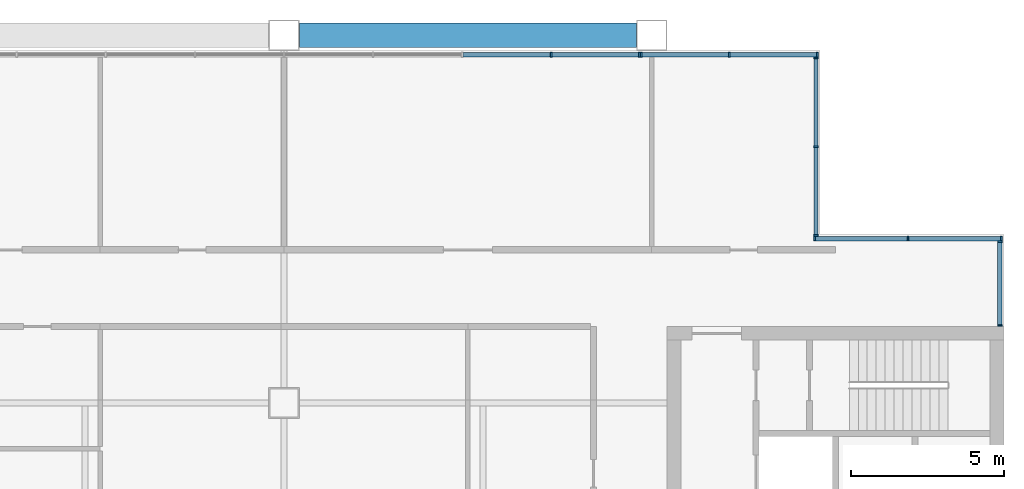
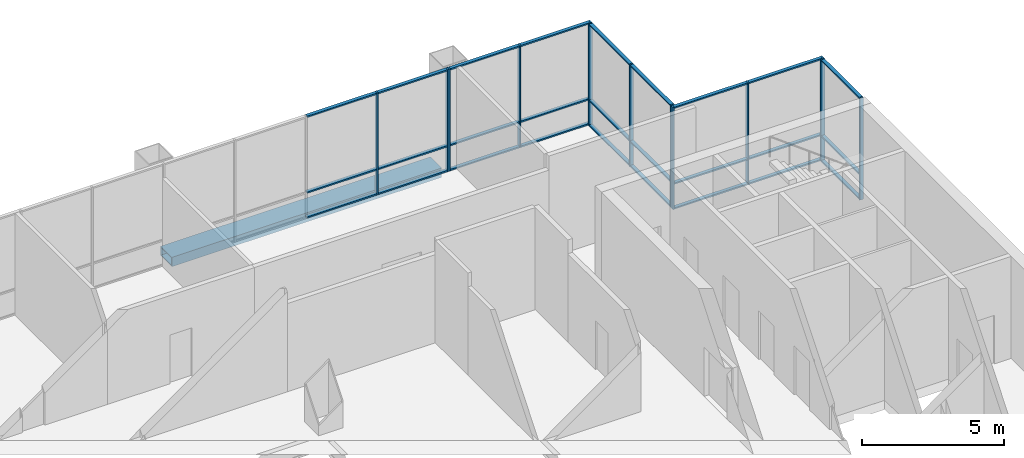
# One storey, part 8 of 15: 40 members, 1 beam, 5 elements without a shape of their own.
"""IFC4 building model written with IfcOpenShell, lengths in metres."""

from ifc_helpers import new_model, si_unit, direction, frame, origin, origin_2d, place, context, subcontext, project, spatial, rectangle, hollow_rectangle, extrude, material, material_profile, profile_set, type_object, element, aggregate, save


model = new_model("IFC4")

# Units and contexts
model_context = context("Model", 3, precision=1e-05, world=origin(), true_north=direction((0.0, 1.0)))
body_context = subcontext(model_context, "Body", "Model", "MODEL_VIEW")
ifc_project = project(units=[si_unit("LENGTHUNIT", "METRE"), si_unit("AREAUNIT", "SQUARE_METRE"), si_unit("VOLUMEUNIT", "CUBIC_METRE"), si_unit("PLANEANGLEUNIT", "RADIAN"), si_unit("MASSUNIT", "GRAM", prefix="KILO")], contexts=[model_context])

# Site, building, storey
site_placement = place(None, origin())
site = spatial("IfcSite", under=ifc_project, at=site_placement, CompositionType="ELEMENT")
building_placement = place(site_placement, origin())
building = spatial("IfcBuilding", under=site, at=building_placement, Name="Kitamizu Gate Tower and Museum", CompositionType="ELEMENT")
storey_placement = place(building_placement, frame((0.0, 0.0, 273.14990234375)))
storey = spatial("IfcBuildingStorey", under=building, at=storey_placement, Name="L74", CompositionType="ELEMENT", Elevation=273.14990234375)

# Beam
ifc_material_1 = material(Name="Steel SM490A bronze coated", Category="steel")
ifc_material_profile_1 = material_profile(ifc_material_1, hollow_rectangle(XDim=0.800048828125, YDim=0.39990234375, WallThickness=0.0400390625, at=origin_2d()), Name="BOX 800x400x40")
ifc_profile_set_1 = profile_set([ifc_material_profile_1], Name="Steel SM490A bronze coated")
beam_type = type_object("IfcBeamType", Name="Exoskeleton spandrel beam SB1 BOX 800x400x40", PredefinedType="SPANDREL", material=ifc_profile_set_1)
beam_placement = place(storey_placement, frame((36.5, 48.0, -0.199951171875), z_axis=(1.0, 0.0, 0.0), x_axis=(0.0, 1.0, 0.0)))
element("IfcBeam", 1, at=beam_placement, inside=storey, type_object=beam_type, Name="Exoskeleton spandrel beam north 36 L74", PredefinedType="SPANDREL", context=body_context, shape_type="SweptSolid", body=[
    extrude(hollow_rectangle(XDim=0.800048828125, YDim=0.39990234375, WallThickness=0.0400390625, at=origin_2d()), origin(), (0.0, 0.0, 1.0), 11.0),
])

# Curtain wall, members
ifc_material_2 = material(Name="Bronze anodised aluminium frame, tinted triple glazing", Category="aluminium")
curtain_wall_type_1 = type_object("IfcCurtainWallType", Name="CURTAIN WALL TYPE C SKY AMENITY", PredefinedType="NOTDEFINED", material=ifc_material_2)
curtain_wall_1_placement = place(storey_placement, origin())
curtain_wall_1 = element("IfcCurtainWall", 2, at=curtain_wall_1_placement, inside=storey, type_object=curtain_wall_type_1, Name="Curtain wall CW-C east L74", PredefinedType="NOTDEFINED")
ifc_material_3 = material(Name="Bronze anodised aluminium", Category="aluminium")
ifc_material_profile_2 = material_profile(ifc_material_3, rectangle(XDim=0.06005859375, YDim=0.14990234375, at=origin_2d()), Name="AL 60X150")
ifc_profile_set_2 = profile_set([ifc_material_profile_2], Name="Bronze anodised aluminium")
member_type_1 = type_object("IfcMemberType", Name="MULLION 60 X 150 TYPE C", PredefinedType="MULLION", material=ifc_profile_set_2)
member_1_placement = place(storey_placement, frame((59.364990234375, 38.530029296875, 0.0), z_axis=(0.0, 0.0, 1.0), x_axis=(0.0, 1.0, 0.0)))
member_1 = element("IfcMember", 3, at=member_1_placement, type_object=member_type_1, Name="CW-C mullion 1", PredefinedType="MULLION", context=body_context, shape_type="SweptSolid", body=[
    extrude(rectangle(XDim=0.06005859375, YDim=0.14990234375, at=origin_2d()), origin(), (0.0, 0.0, 1.0), 4.400146484375),
])
member_2_placement = place(storey_placement, frame((59.364990234375, 41.260009765625, 0.0), z_axis=(0.0, 0.0, 1.0), x_axis=(0.0, 1.0, 0.0)))
member_2 = element("IfcMember", 4, at=member_2_placement, type_object=member_type_1, Name="CW-C mullion 2", PredefinedType="MULLION", context=body_context, shape_type="SweptSolid", body=[
    extrude(rectangle(XDim=0.06005859375, YDim=0.14990234375, at=origin_2d()), origin(), (0.0, 0.0, 1.0), 4.400146484375),
])

curtain_wall_2_placement = place(storey_placement, origin())
curtain_wall_2 = element("IfcCurtainWall", 5, at=curtain_wall_2_placement, inside=storey, type_object=curtain_wall_type_1, Name="Curtain wall CW-C north L74", PredefinedType="NOTDEFINED")
member_3_placement = place(storey_placement, frame((53.320068359375, 41.364990234375, 0.0), z_axis=(0.0, 0.0, 1.0), x_axis=(1.0, 0.0, 0.0)))
member_3 = element("IfcMember", 6, at=member_3_placement, type_object=member_type_1, Name="CW-C mullion 1", PredefinedType="MULLION", context=body_context, shape_type="SweptSolid", body=[
    extrude(rectangle(XDim=0.06005859375, YDim=0.14990234375, at=origin_2d()), origin(), (0.0, 0.0, 1.0), 4.400146484375),
])
member_4_placement = place(storey_placement, frame((56.364990234375, 41.364990234375, 0.0), z_axis=(0.0, 0.0, 1.0), x_axis=(1.0, 0.0, 0.0)))
member_4 = element("IfcMember", 7, at=member_4_placement, type_object=member_type_1, Name="CW-C mullion 2", PredefinedType="MULLION", context=body_context, shape_type="SweptSolid", body=[
    extrude(rectangle(XDim=0.06005859375, YDim=0.14990234375, at=origin_2d()), origin(), (0.0, 0.0, 1.0), 4.400146484375),
])
member_5_placement = place(storey_placement, frame((59.409912109375, 41.364990234375, 0.0), z_axis=(0.0, 0.0, 1.0), x_axis=(1.0, 0.0, 0.0)))
member_5 = element("IfcMember", 8, at=member_5_placement, type_object=member_type_1, Name="CW-C mullion 3", PredefinedType="MULLION", context=body_context, shape_type="SweptSolid", body=[
    extrude(rectangle(XDim=0.06005859375, YDim=0.14990234375, at=origin_2d()), origin(), (0.0, 0.0, 1.0), 4.400146484375),
])

curtain_wall_3_placement = place(storey_placement, origin())
curtain_wall_3 = element("IfcCurtainWall", 9, at=curtain_wall_3_placement, inside=storey, type_object=curtain_wall_type_1, Name="Curtain wall CW-C east L74", PredefinedType="NOTDEFINED")
member_6_placement = place(storey_placement, frame((53.364990234375, 41.469970703125, 0.0), z_axis=(0.0, 0.0, 1.0), x_axis=(0.0, 1.0, 0.0)))
member_6 = element("IfcMember", 10, at=member_6_placement, type_object=member_type_1, Name="CW-C mullion 1", PredefinedType="MULLION", context=body_context, shape_type="SweptSolid", body=[
    extrude(rectangle(XDim=0.06005859375, YDim=0.14990234375, at=origin_2d()), origin(), (0.0, 0.0, 1.0), 4.400146484375),
])
member_7_placement = place(storey_placement, frame((53.364990234375, 44.364990234375, 0.0), z_axis=(0.0, 0.0, 1.0), x_axis=(0.0, 1.0, 0.0)))
member_7 = element("IfcMember", 11, at=member_7_placement, type_object=member_type_1, Name="CW-C mullion 2", PredefinedType="MULLION", context=body_context, shape_type="SweptSolid", body=[
    extrude(rectangle(XDim=0.06005859375, YDim=0.14990234375, at=origin_2d()), origin(), (0.0, 0.0, 1.0), 4.400146484375),
])
member_8_placement = place(storey_placement, frame((53.364990234375, 47.260009765625, 0.0), z_axis=(0.0, 0.0, 1.0), x_axis=(0.0, 1.0, 0.0)))
member_8 = element("IfcMember", 12, at=member_8_placement, type_object=member_type_1, Name="CW-C mullion 3", PredefinedType="MULLION", context=body_context, shape_type="SweptSolid", body=[
    extrude(rectangle(XDim=0.06005859375, YDim=0.14990234375, at=origin_2d()), origin(), (0.0, 0.0, 1.0), 4.400146484375),
])

ifc_material_4 = material(Name="Bronze anodised aluminium frame, insulated panels", Category="aluminium")
curtain_wall_type_2 = type_object("IfcCurtainWallType", Name="CURTAIN WALL TYPE C SKY AMENITY INSULATED", PredefinedType="NOTDEFINED", material=ifc_material_4)
curtain_wall_4_placement = place(storey_placement, origin())
curtain_wall_4 = element("IfcCurtainWall", 13, at=curtain_wall_4_placement, inside=storey, type_object=curtain_wall_type_2, Name="Curtain wall CW-CI north L74 part 2", PredefinedType="NOTDEFINED")
member_9_placement = place(storey_placement, frame((44.719970703125, 47.364990234375, 0.0), z_axis=(0.0, 0.0, 1.0), x_axis=(1.0, 0.0, 0.0)))
member_9 = element("IfcMember", 14, at=member_9_placement, type_object=member_type_1, Name="CW-CI mullion 8", PredefinedType="MULLION", context=body_context, shape_type="SweptSolid", body=[
    extrude(rectangle(XDim=0.06005859375, YDim=0.14990234375, at=origin_2d()), origin(), (0.0, 0.0, 1.0), 4.400146484375),
])
member_10_placement = place(storey_placement, frame((47.5966796875, 47.364990234375, 0.0), z_axis=(0.0, 0.0, 1.0), x_axis=(1.0, 0.0, 0.0)))
member_10 = element("IfcMember", 15, at=member_10_placement, type_object=member_type_1, Name="CW-CI mullion 9", PredefinedType="MULLION", context=body_context, shape_type="SweptSolid", body=[
    extrude(rectangle(XDim=0.06005859375, YDim=0.14990234375, at=origin_2d()), origin(), (0.0, 0.0, 1.0), 4.400146484375),
])

curtain_wall_5_placement = place(storey_placement, origin())
curtain_wall_5 = element("IfcCurtainWall", 16, at=curtain_wall_5_placement, inside=storey, type_object=curtain_wall_type_1, Name="Curtain wall CW-C north L74 part 3", PredefinedType="NOTDEFINED")
member_11_placement = place(storey_placement, frame((47.65673828125, 47.364990234375, 0.0), z_axis=(0.0, 0.0, 1.0), x_axis=(1.0, 0.0, 0.0)))
member_11 = element("IfcMember", 17, at=member_11_placement, type_object=member_type_1, Name="CW-C mullion 1", PredefinedType="MULLION", context=body_context, shape_type="SweptSolid", body=[
    extrude(rectangle(XDim=0.06005859375, YDim=0.14990234375, at=origin_2d()), origin(), (0.0, 0.0, 1.0), 4.400146484375),
])
member_12_placement = place(storey_placement, frame((50.533447265625, 47.364990234375, 0.0), z_axis=(0.0, 0.0, 1.0), x_axis=(1.0, 0.0, 0.0)))
member_12 = element("IfcMember", 18, at=member_12_placement, type_object=member_type_1, Name="CW-C mullion 2", PredefinedType="MULLION", context=body_context, shape_type="SweptSolid", body=[
    extrude(rectangle(XDim=0.06005859375, YDim=0.14990234375, at=origin_2d()), origin(), (0.0, 0.0, 1.0), 4.400146484375),
])
member_13_placement = place(storey_placement, frame((53.409912109375, 47.364990234375, 0.0), z_axis=(0.0, 0.0, 1.0), x_axis=(1.0, 0.0, 0.0)))
member_13 = element("IfcMember", 19, at=member_13_placement, type_object=member_type_1, Name="CW-C mullion 3", PredefinedType="MULLION", context=body_context, shape_type="SweptSolid", body=[
    extrude(rectangle(XDim=0.06005859375, YDim=0.14990234375, at=origin_2d()), origin(), (0.0, 0.0, 1.0), 4.400146484375),
])

# Member
ifc_material_5 = material(Name="Bronze anodised aluminium", Category="aluminium")
ifc_material_profile_3 = material_profile(ifc_material_5, rectangle(XDim=0.139892578125, YDim=0.06005859375, at=origin_2d()), Name="AL 60X140")
ifc_profile_set_3 = profile_set([ifc_material_profile_3], Name="Bronze anodised aluminium")
member_type_2 = type_object("IfcMemberType", Name="TRANSOM 60 X 140 TYPE C", PredefinedType="USERDEFINED", material=ifc_profile_set_3)
member_14_placement = place(storey_placement, frame((59.364990234375, 38.56005859375, 0.030029296875), z_axis=(0.0, 1.0, 0.0), x_axis=(-1.0, 0.0, 0.0)))
member_14 = element("IfcMember", 20, at=member_14_placement, type_object=member_type_2, Name="CW-C transom 1.1", ObjectType="TRANSOM", PredefinedType="USERDEFINED", context=body_context, shape_type="SweptSolid", body=[
    extrude(rectangle(XDim=0.139892578125, YDim=0.06005859375, at=origin_2d()), origin(), (0.0, 0.0, 1.0), 2.669921875),
])

member_15_placement = place(storey_placement, frame((59.364990234375, 38.56005859375, 1.10009765625), z_axis=(0.0, 1.0, 0.0), x_axis=(-1.0, 0.0, 0.0)))
member_15 = element("IfcMember", 21, at=member_15_placement, type_object=member_type_2, Name="CW-C transom 1.2", ObjectType="TRANSOM", PredefinedType="USERDEFINED", context=body_context, shape_type="SweptSolid", body=[
    extrude(rectangle(XDim=0.139892578125, YDim=0.06005859375, at=origin_2d()), origin(), (0.0, 0.0, 1.0), 2.669921875),
])

member_16_placement = place(storey_placement, frame((59.364990234375, 38.56005859375, 4.3701171875), z_axis=(0.0, 1.0, 0.0), x_axis=(-1.0, 0.0, 0.0)))
member_16 = element("IfcMember", 22, at=member_16_placement, type_object=member_type_2, Name="CW-C transom 1.3", ObjectType="TRANSOM", PredefinedType="USERDEFINED", context=body_context, shape_type="SweptSolid", body=[
    extrude(rectangle(XDim=0.139892578125, YDim=0.06005859375, at=origin_2d()), origin(), (0.0, 0.0, 1.0), 2.669921875),
])

aggregate(curtain_wall_1, [member_1, member_2, member_14, member_15, member_16])

member_17_placement = place(storey_placement, frame((53.35009765625, 41.364990234375, 0.030029296875), z_axis=(1.0, 0.0, 0.0), x_axis=(0.0, 1.0, 0.0)))
member_17 = element("IfcMember", 23, at=member_17_placement, type_object=member_type_2, Name="CW-C transom 1.1", ObjectType="TRANSOM", PredefinedType="USERDEFINED", context=body_context, shape_type="SweptSolid", body=[
    extrude(rectangle(XDim=0.139892578125, YDim=0.06005859375, at=origin_2d()), origin(), (0.0, 0.0, 1.0), 2.98486328125),
])

member_18_placement = place(storey_placement, frame((53.35009765625, 41.364990234375, 1.10009765625), z_axis=(1.0, 0.0, 0.0), x_axis=(0.0, 1.0, 0.0)))
member_18 = element("IfcMember", 24, at=member_18_placement, type_object=member_type_2, Name="CW-C transom 1.2", ObjectType="TRANSOM", PredefinedType="USERDEFINED", context=body_context, shape_type="SweptSolid", body=[
    extrude(rectangle(XDim=0.139892578125, YDim=0.06005859375, at=origin_2d()), origin(), (0.0, 0.0, 1.0), 2.98486328125),
])

member_19_placement = place(storey_placement, frame((53.35009765625, 41.364990234375, 4.3701171875), z_axis=(1.0, 0.0, 0.0), x_axis=(0.0, 1.0, 0.0)))
member_19 = element("IfcMember", 25, at=member_19_placement, type_object=member_type_2, Name="CW-C transom 1.3", ObjectType="TRANSOM", PredefinedType="USERDEFINED", context=body_context, shape_type="SweptSolid", body=[
    extrude(rectangle(XDim=0.139892578125, YDim=0.06005859375, at=origin_2d()), origin(), (0.0, 0.0, 1.0), 2.98486328125),
])

member_20_placement = place(storey_placement, frame((56.39501953125, 41.364990234375, 0.030029296875), z_axis=(1.0, 0.0, 0.0), x_axis=(0.0, 1.0, 0.0)))
member_20 = element("IfcMember", 26, at=member_20_placement, type_object=member_type_2, Name="CW-C transom 2.1", ObjectType="TRANSOM", PredefinedType="USERDEFINED", context=body_context, shape_type="SweptSolid", body=[
    extrude(rectangle(XDim=0.139892578125, YDim=0.06005859375, at=origin_2d()), origin(), (0.0, 0.0, 1.0), 2.98486328125),
])

member_21_placement = place(storey_placement, frame((56.39501953125, 41.364990234375, 1.10009765625), z_axis=(1.0, 0.0, 0.0), x_axis=(0.0, 1.0, 0.0)))
member_21 = element("IfcMember", 27, at=member_21_placement, type_object=member_type_2, Name="CW-C transom 2.2", ObjectType="TRANSOM", PredefinedType="USERDEFINED", context=body_context, shape_type="SweptSolid", body=[
    extrude(rectangle(XDim=0.139892578125, YDim=0.06005859375, at=origin_2d()), origin(), (0.0, 0.0, 1.0), 2.98486328125),
])

member_22_placement = place(storey_placement, frame((56.39501953125, 41.364990234375, 4.3701171875), z_axis=(1.0, 0.0, 0.0), x_axis=(0.0, 1.0, 0.0)))
member_22 = element("IfcMember", 28, at=member_22_placement, type_object=member_type_2, Name="CW-C transom 2.3", ObjectType="TRANSOM", PredefinedType="USERDEFINED", context=body_context, shape_type="SweptSolid", body=[
    extrude(rectangle(XDim=0.139892578125, YDim=0.06005859375, at=origin_2d()), origin(), (0.0, 0.0, 1.0), 2.98486328125),
])

aggregate(curtain_wall_2, [member_3, member_4, member_5, member_17, member_18, member_19, member_20, member_21, member_22])

member_23_placement = place(storey_placement, frame((53.364990234375, 41.5, 0.030029296875), z_axis=(0.0, 1.0, 0.0), x_axis=(-1.0, 0.0, 0.0)))
member_23 = element("IfcMember", 29, at=member_23_placement, type_object=member_type_2, Name="CW-C transom 1.1", ObjectType="TRANSOM", PredefinedType="USERDEFINED", context=body_context, shape_type="SweptSolid", body=[
    extrude(rectangle(XDim=0.139892578125, YDim=0.06005859375, at=origin_2d()), origin(), (0.0, 0.0, 1.0), 2.8349609375),
])

member_24_placement = place(storey_placement, frame((53.364990234375, 41.5, 1.10009765625), z_axis=(0.0, 1.0, 0.0), x_axis=(-1.0, 0.0, 0.0)))
member_24 = element("IfcMember", 30, at=member_24_placement, type_object=member_type_2, Name="CW-C transom 1.2", ObjectType="TRANSOM", PredefinedType="USERDEFINED", context=body_context, shape_type="SweptSolid", body=[
    extrude(rectangle(XDim=0.139892578125, YDim=0.06005859375, at=origin_2d()), origin(), (0.0, 0.0, 1.0), 2.8349609375),
])

member_25_placement = place(storey_placement, frame((53.364990234375, 41.5, 4.3701171875), z_axis=(0.0, 1.0, 0.0), x_axis=(-1.0, 0.0, 0.0)))
member_25 = element("IfcMember", 31, at=member_25_placement, type_object=member_type_2, Name="CW-C transom 1.3", ObjectType="TRANSOM", PredefinedType="USERDEFINED", context=body_context, shape_type="SweptSolid", body=[
    extrude(rectangle(XDim=0.139892578125, YDim=0.06005859375, at=origin_2d()), origin(), (0.0, 0.0, 1.0), 2.8349609375),
])

member_26_placement = place(storey_placement, frame((53.364990234375, 44.39501953125, 0.030029296875), z_axis=(0.0, 1.0, 0.0), x_axis=(-1.0, 0.0, 0.0)))
member_26 = element("IfcMember", 32, at=member_26_placement, type_object=member_type_2, Name="CW-C transom 2.1", ObjectType="TRANSOM", PredefinedType="USERDEFINED", context=body_context, shape_type="SweptSolid", body=[
    extrude(rectangle(XDim=0.139892578125, YDim=0.06005859375, at=origin_2d()), origin(), (0.0, 0.0, 1.0), 2.8349609375),
])

member_27_placement = place(storey_placement, frame((53.364990234375, 44.39501953125, 1.10009765625), z_axis=(0.0, 1.0, 0.0), x_axis=(-1.0, 0.0, 0.0)))
member_27 = element("IfcMember", 33, at=member_27_placement, type_object=member_type_2, Name="CW-C transom 2.2", ObjectType="TRANSOM", PredefinedType="USERDEFINED", context=body_context, shape_type="SweptSolid", body=[
    extrude(rectangle(XDim=0.139892578125, YDim=0.06005859375, at=origin_2d()), origin(), (0.0, 0.0, 1.0), 2.8349609375),
])

member_28_placement = place(storey_placement, frame((53.364990234375, 44.39501953125, 4.3701171875), z_axis=(0.0, 1.0, 0.0), x_axis=(-1.0, 0.0, 0.0)))
member_28 = element("IfcMember", 34, at=member_28_placement, type_object=member_type_2, Name="CW-C transom 2.3", ObjectType="TRANSOM", PredefinedType="USERDEFINED", context=body_context, shape_type="SweptSolid", body=[
    extrude(rectangle(XDim=0.139892578125, YDim=0.06005859375, at=origin_2d()), origin(), (0.0, 0.0, 1.0), 2.8349609375),
])

aggregate(curtain_wall_3, [member_6, member_7, member_8, member_23, member_24, member_25, member_26, member_27, member_28])

member_29_placement = place(storey_placement, frame((41.84326171875, 47.364990234375, 0.030029296875), z_axis=(1.0, 0.0, 0.0), x_axis=(0.0, 1.0, 0.0)))
member_29 = element("IfcMember", 35, at=member_29_placement, type_object=member_type_2, Name="CW-CI transom 7.1", ObjectType="TRANSOM", PredefinedType="USERDEFINED", context=body_context, shape_type="SweptSolid", body=[
    extrude(rectangle(XDim=0.139892578125, YDim=0.06005859375, at=origin_2d()), origin(), (0.0, 0.0, 1.0), 2.8466796875),
])

member_30_placement = place(storey_placement, frame((41.84326171875, 47.364990234375, 1.10009765625), z_axis=(1.0, 0.0, 0.0), x_axis=(0.0, 1.0, 0.0)))
member_30 = element("IfcMember", 36, at=member_30_placement, type_object=member_type_2, Name="CW-CI transom 7.2", ObjectType="TRANSOM", PredefinedType="USERDEFINED", context=body_context, shape_type="SweptSolid", body=[
    extrude(rectangle(XDim=0.139892578125, YDim=0.06005859375, at=origin_2d()), origin(), (0.0, 0.0, 1.0), 2.8466796875),
])

member_31_placement = place(storey_placement, frame((41.84326171875, 47.364990234375, 4.3701171875), z_axis=(1.0, 0.0, 0.0), x_axis=(0.0, 1.0, 0.0)))
member_31 = element("IfcMember", 37, at=member_31_placement, type_object=member_type_2, Name="CW-CI transom 7.3", ObjectType="TRANSOM", PredefinedType="USERDEFINED", context=body_context, shape_type="SweptSolid", body=[
    extrude(rectangle(XDim=0.139892578125, YDim=0.06005859375, at=origin_2d()), origin(), (0.0, 0.0, 1.0), 2.8466796875),
])

member_32_placement = place(storey_placement, frame((44.75, 47.364990234375, 0.030029296875), z_axis=(1.0, 0.0, 0.0), x_axis=(0.0, 1.0, 0.0)))
member_32 = element("IfcMember", 38, at=member_32_placement, type_object=member_type_2, Name="CW-CI transom 8.1", ObjectType="TRANSOM", PredefinedType="USERDEFINED", context=body_context, shape_type="SweptSolid", body=[
    extrude(rectangle(XDim=0.139892578125, YDim=0.06005859375, at=origin_2d()), origin(), (0.0, 0.0, 1.0), 2.816650390625),
])

member_33_placement = place(storey_placement, frame((44.75, 47.364990234375, 1.10009765625), z_axis=(1.0, 0.0, 0.0), x_axis=(0.0, 1.0, 0.0)))
member_33 = element("IfcMember", 39, at=member_33_placement, type_object=member_type_2, Name="CW-CI transom 8.2", ObjectType="TRANSOM", PredefinedType="USERDEFINED", context=body_context, shape_type="SweptSolid", body=[
    extrude(rectangle(XDim=0.139892578125, YDim=0.06005859375, at=origin_2d()), origin(), (0.0, 0.0, 1.0), 2.816650390625),
])

member_34_placement = place(storey_placement, frame((44.75, 47.364990234375, 4.3701171875), z_axis=(1.0, 0.0, 0.0), x_axis=(0.0, 1.0, 0.0)))
member_34 = element("IfcMember", 40, at=member_34_placement, type_object=member_type_2, Name="CW-CI transom 8.3", ObjectType="TRANSOM", PredefinedType="USERDEFINED", context=body_context, shape_type="SweptSolid", body=[
    extrude(rectangle(XDim=0.139892578125, YDim=0.06005859375, at=origin_2d()), origin(), (0.0, 0.0, 1.0), 2.816650390625),
])

aggregate(curtain_wall_4, [member_9, member_10, member_29, member_30, member_31, member_32, member_33, member_34])

member_35_placement = place(storey_placement, frame((47.686767578125, 47.364990234375, 0.030029296875), z_axis=(1.0, 0.0, 0.0), x_axis=(0.0, 1.0, 0.0)))
member_35 = element("IfcMember", 41, at=member_35_placement, type_object=member_type_2, Name="CW-C transom 1.1", ObjectType="TRANSOM", PredefinedType="USERDEFINED", context=body_context, shape_type="SweptSolid", body=[
    extrude(rectangle(XDim=0.139892578125, YDim=0.06005859375, at=origin_2d()), origin(), (0.0, 0.0, 1.0), 2.816650390625),
])

member_36_placement = place(storey_placement, frame((47.686767578125, 47.364990234375, 1.10009765625), z_axis=(1.0, 0.0, 0.0), x_axis=(0.0, 1.0, 0.0)))
member_36 = element("IfcMember", 42, at=member_36_placement, type_object=member_type_2, Name="CW-C transom 1.2", ObjectType="TRANSOM", PredefinedType="USERDEFINED", context=body_context, shape_type="SweptSolid", body=[
    extrude(rectangle(XDim=0.139892578125, YDim=0.06005859375, at=origin_2d()), origin(), (0.0, 0.0, 1.0), 2.816650390625),
])

member_37_placement = place(storey_placement, frame((47.686767578125, 47.364990234375, 4.3701171875), z_axis=(1.0, 0.0, 0.0), x_axis=(0.0, 1.0, 0.0)))
member_37 = element("IfcMember", 43, at=member_37_placement, type_object=member_type_2, Name="CW-C transom 1.3", ObjectType="TRANSOM", PredefinedType="USERDEFINED", context=body_context, shape_type="SweptSolid", body=[
    extrude(rectangle(XDim=0.139892578125, YDim=0.06005859375, at=origin_2d()), origin(), (0.0, 0.0, 1.0), 2.816650390625),
])

member_38_placement = place(storey_placement, frame((50.563232421875, 47.364990234375, 0.030029296875), z_axis=(1.0, 0.0, 0.0), x_axis=(0.0, 1.0, 0.0)))
member_38 = element("IfcMember", 44, at=member_38_placement, type_object=member_type_2, Name="CW-C transom 2.1", ObjectType="TRANSOM", PredefinedType="USERDEFINED", context=body_context, shape_type="SweptSolid", body=[
    extrude(rectangle(XDim=0.139892578125, YDim=0.06005859375, at=origin_2d()), origin(), (0.0, 0.0, 1.0), 2.816650390625),
])

member_39_placement = place(storey_placement, frame((50.563232421875, 47.364990234375, 1.10009765625), z_axis=(1.0, 0.0, 0.0), x_axis=(0.0, 1.0, 0.0)))
member_39 = element("IfcMember", 45, at=member_39_placement, type_object=member_type_2, Name="CW-C transom 2.2", ObjectType="TRANSOM", PredefinedType="USERDEFINED", context=body_context, shape_type="SweptSolid", body=[
    extrude(rectangle(XDim=0.139892578125, YDim=0.06005859375, at=origin_2d()), origin(), (0.0, 0.0, 1.0), 2.816650390625),
])

member_40_placement = place(storey_placement, frame((50.563232421875, 47.364990234375, 4.3701171875), z_axis=(1.0, 0.0, 0.0), x_axis=(0.0, 1.0, 0.0)))
member_40 = element("IfcMember", 46, at=member_40_placement, type_object=member_type_2, Name="CW-C transom 2.3", ObjectType="TRANSOM", PredefinedType="USERDEFINED", context=body_context, shape_type="SweptSolid", body=[
    extrude(rectangle(XDim=0.139892578125, YDim=0.06005859375, at=origin_2d()), origin(), (0.0, 0.0, 1.0), 2.816650390625),
])

aggregate(curtain_wall_5, [member_11, member_12, member_13, member_35, member_36, member_37, member_38, member_39, member_40])

save(model, "model.ifc")
